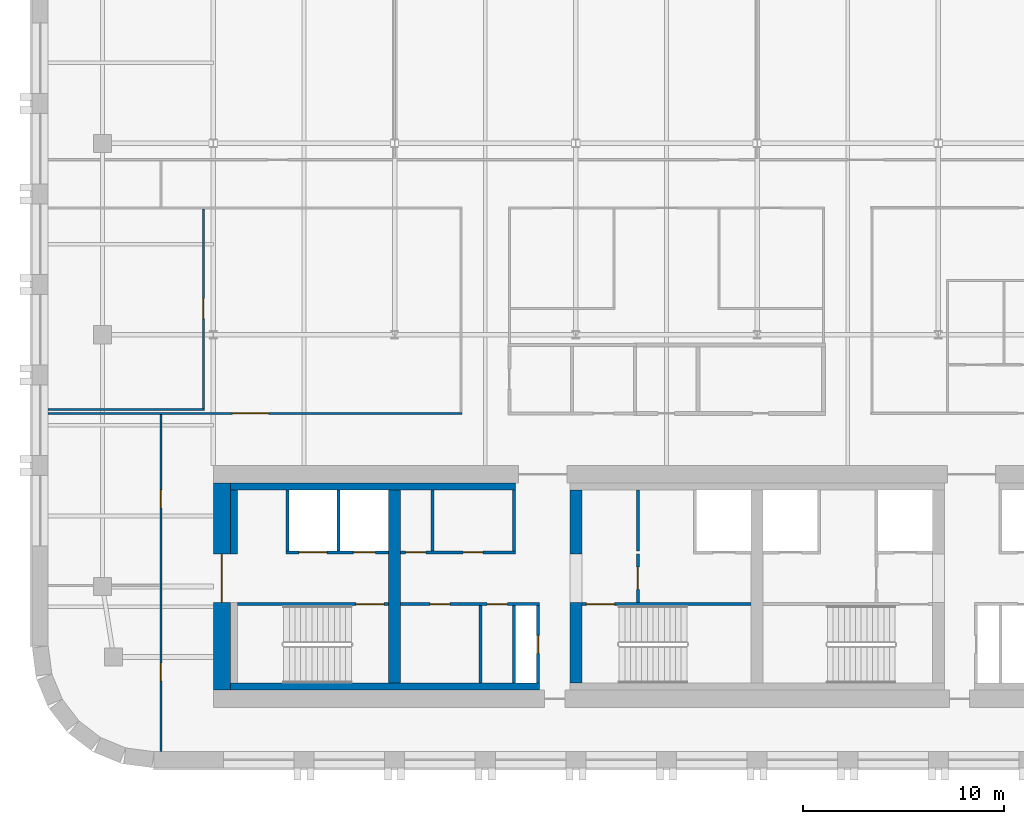
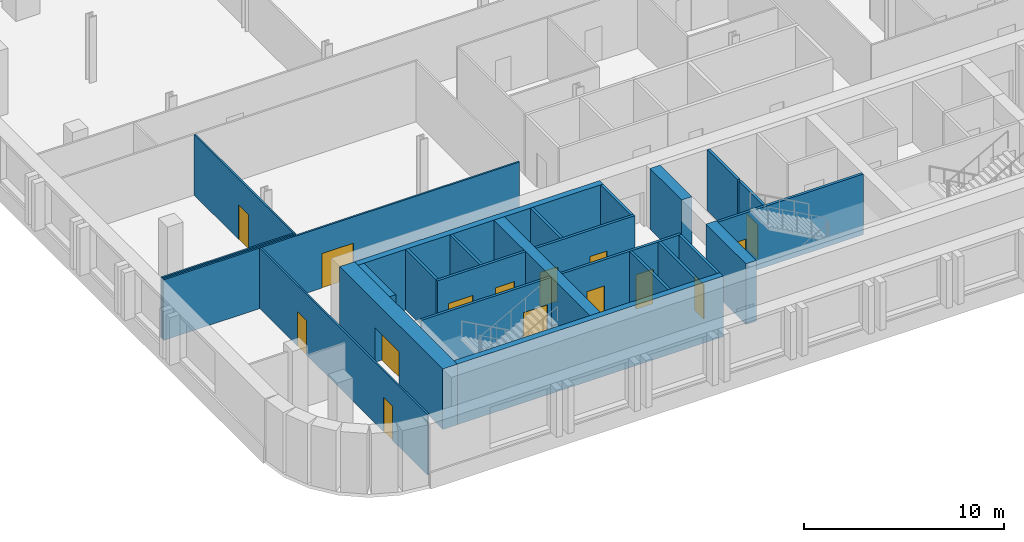
# One storey, part 3 of 11: 25 walls, 15 doors, 15 openings.
"""IFC4 building model written with IfcOpenShell, lengths in metres."""

from ifc_helpers import new_model, si_unit, direction, frame, frame_2d, origin, place, context, subcontext, project, spatial, rectangle, extrude, material, layer, layer_set, type_object, element, fill, save


model = new_model("IFC4")

# Units and contexts
model_context = context("Model", 3, precision=1e-05, world=origin(), true_north=direction((0.0, 1.0)))
body_context = subcontext(model_context, "Body", "Model", "MODEL_VIEW")
ifc_project = project(units=[si_unit("LENGTHUNIT", "METRE"), si_unit("AREAUNIT", "SQUARE_METRE"), si_unit("VOLUMEUNIT", "CUBIC_METRE"), si_unit("PLANEANGLEUNIT", "RADIAN"), si_unit("MASSUNIT", "GRAM", prefix="KILO")], contexts=[model_context])

# Site, building, storey
site_placement = place(None, origin())
site = spatial("IfcSite", under=ifc_project, at=site_placement, CompositionType="ELEMENT")
building_placement = place(site_placement, origin())
building = spatial("IfcBuilding", under=site, at=building_placement, Name="Zellij Exchange Tower", CompositionType="ELEMENT")
storey_placement = place(building_placement, frame((0.0, 0.0, 208.5)))
storey = spatial("IfcBuildingStorey", under=building, at=storey_placement, Name="L48", CompositionType="ELEMENT", Elevation=208.5)

# Walls
ifc_material_1 = material(Name="Concrete C60/75", Category="concrete")
ifc_layer_1 = layer(ifc_material_1, 0.60009765625)
ifc_layer_set_1 = layer_set([ifc_layer_1], Name="Concrete C60/75")
wall_type_1 = type_object("IfcWallType", Name="CORE-CW 600 C60/75", PredefinedType="SHEAR", material=ifc_layer_set_1)
wall_1_placement = place(storey_placement, frame((-18.0, -12.800048828125, 0.0), z_axis=(0.0, 0.0, 1.0), x_axis=(0.0, 1.0, 0.0)))
element("IfcWall", 1, at=wall_1_placement, inside=storey, type_object=wall_type_1, Name="Core cross wall x -18 L48", PredefinedType="SHEAR", context=body_context, shape_type="SweptSolid", body=[
    extrude(rectangle(XDim=9.60009765625, YDim=0.60009765625, at=frame_2d((4.800048828125, 0.0))), origin(), (0.0, 0.0, 1.0), 3.699951171875),
])
wall_2_placement = place(storey_placement, frame((-9.0, -12.800048828125, 0.0), z_axis=(0.0, 0.0, 1.0), x_axis=(0.0, 1.0, 0.0)))
element("IfcWall", 2, at=wall_2_placement, inside=storey, type_object=wall_type_1, Name="Core cross wall pier x -9 a L48", PredefinedType="SHEAR", context=body_context, shape_type="SweptSolid", body=[
    extrude(rectangle(XDim=4.0, YDim=0.60009765625, at=frame_2d((2.0, 0.0))), origin(), (0.0, 0.0, 1.0), 3.699951171875),
])
wall_3_placement = place(storey_placement, frame((-9.0, -6.375, 0.0), z_axis=(0.0, 0.0, 1.0), x_axis=(0.0, 1.0, 0.0)))
element("IfcWall", 3, at=wall_3_placement, inside=storey, type_object=wall_type_1, Name="Core cross wall pier x -9 b L48", PredefinedType="SHEAR", context=body_context, shape_type="SweptSolid", body=[
    extrude(rectangle(XDim=3.175048828125, YDim=0.60009765625, at=frame_2d((1.58740234375, 0.0))), origin(), (0.0, 0.0, 1.0), 3.699951171875),
])
ifc_material_2 = material(Name="Concrete C30/37", Category="concrete")
ifc_layer_2 = layer(ifc_material_2, 0.35009765625)
ifc_layer_set_2 = layer_set([ifc_layer_2], Name="Concrete C30/37")
wall_type_2 = type_object("IfcWallType", Name="CORE-LW 350 C30/37", PredefinedType="SHEAR", material=ifc_layer_set_2)
wall_4_placement = place(storey_placement, frame((-26.14990234375, -3.02490234375, 0.0), z_axis=(0.0, 0.0, 1.0), x_axis=(1.0, 0.0, 0.0)))
element("IfcWall", 4, at=wall_4_placement, inside=storey, type_object=wall_type_2, Name="Core wall lining front.0 L48", PredefinedType="SHEAR", context=body_context, shape_type="SweptSolid", body=[
    extrude(rectangle(XDim=14.14990234375, YDim=0.35009765625, at=frame_2d((7.074951171875, 0.0))), origin(), (0.0, 0.0, 1.0), 3.699951171875),
])
wall_5_placement = place(storey_placement, frame((-26.14990234375, -12.97509765625, 0.0), z_axis=(0.0, 0.0, 1.0), x_axis=(1.0, 0.0, 0.0)))
element("IfcWall", 5, at=wall_5_placement, inside=storey, type_object=wall_type_2, Name="Core wall lining rear.0 L48", PredefinedType="SHEAR", context=body_context, shape_type="SweptSolid", body=[
    extrude(rectangle(XDim=15.349853515625, YDim=0.35009765625, at=frame_2d((7.6748046875, 0.0))), origin(), (0.0, 0.0, 1.0), 3.699951171875),
])
wall_6_placement = place(storey_placement, frame((-25.97509765625, -6.375, 0.0), z_axis=(0.0, 0.0, 1.0), x_axis=(0.0, 1.0, 0.0)))
element("IfcWall", 6, at=wall_6_placement, inside=storey, type_object=wall_type_2, Name="Core wall lining end w.1 L48", PredefinedType="SHEAR", context=body_context, shape_type="SweptSolid", body=[
    extrude(rectangle(XDim=3.175048828125, YDim=0.35009765625, at=frame_2d((1.58740234375, 0.0))), origin(), (0.0, 0.0, 1.0), 3.699951171875),
])

# Wall, opening, door
ifc_material_3 = material(Name="Gypsum shaft wall system")
ifc_layer_3 = layer(ifc_material_3, 0.14990234375)
ifc_layer_set_3 = layer_set([ifc_layer_3], Name="Gypsum shaft wall system")
wall_type_3 = type_object("IfcWallType", Name="CORE-PW 150 Firefighting lobby wall", PredefinedType="PARTITIONING", material=ifc_layer_set_3)
wall_7_placement = place(storey_placement, frame((-5.925048828125, -8.800048828125, 0.0), z_axis=(0.0, 0.0, 1.0), x_axis=(0.0, 1.0, 0.0)))
wall_7 = element("IfcWall", 7, at=wall_7_placement, inside=storey, type_object=wall_type_3, Name="Firefighting lobby wall L48", PredefinedType="PARTITIONING", context=body_context, shape_type="SweptSolid", body=[
    extrude(rectangle(XDim=2.425048828125, YDim=0.14990234375, at=frame_2d((1.21240234375, 0.0))), origin(), (0.0, 0.0, 1.0), 3.699951171875),
])
opening_1_placement = place(wall_7_placement, frame((0.662109375, 0.0, 0.0)))
opening_1 = element("IfcOpeningElement", 8, at=opening_1_placement, cuts=wall_7, Name="Opening CA-25.13", PredefinedType="OPENING", context=body_context, shape_type="SweptSolid", body=[
    extrude(rectangle(XDim=1.10009765625, YDim=2.10009765625, at=frame_2d((0.550048828125, 1.050048828125))), frame((0.0, 0.0869140625, 0.0), z_axis=(0.0, -1.0, 0.0), x_axis=(1.0, 0.0, 0.0)), (0.0, 0.0, 1.0), 0.173828125),
])
ifc_material_4 = material(Name="Hollow metal fire door")
door_type_1 = type_object("IfcDoorType", Name="CORE-D F Firefighting lobby door 1100x2100 1 HR", OperationType="NOTDEFINED", PredefinedType="DOOR", material=ifc_material_4)
door_1_placement = place(opening_1_placement, origin())
door_1 = element("IfcDoor", 9, at=door_1_placement, inside=storey, type_object=door_type_1, Name="Firefighting lobby door CA-25.13", OperationType="SINGLE_SWING_LEFT", OverallHeight=2.10009765625, OverallWidth=1.10009765625, PredefinedType="DOOR", context=body_context, shape_type="SweptSolid", body=[
    extrude(rectangle(XDim=1.10009765625, YDim=2.10009765625, at=frame_2d((0.550048828125, 1.050048828125))), frame((0.0, 0.02490234375, 0.0), z_axis=(0.0, -1.0, 0.0), x_axis=(1.0, 0.0, 0.0)), (0.0, 0.0, 1.0), 0.050048828125),
])
fill(opening_1, door_1)

# Walls
ifc_material_5 = material(Name="Gypsum board partition")
ifc_layer_4 = layer(ifc_material_5, 0.14990234375)
ifc_layer_set_4 = layer_set([ifc_layer_4], Name="Gypsum board partition")
wall_type_4 = type_object("IfcWallType", Name="CORE-PW 150 Lift lobby wall", PredefinedType="PARTITIONING", material=ifc_layer_set_4)
for number, where, z_axis, x_axis, name in (
    (10, (-12.074951171875, -6.22509765625, 0.0), (0.0, 0.0, 1.0), (0.0, 1.0, 0.0), "Lift lobby wall L48"),
    (11, (-16.125, -6.22509765625, 0.0), (0.0, 0.0, 1.0), (0.0, 1.0, 0.0), "Lift lobby wall L48"),
    (12, (-5.925048828125, -6.22509765625, 0.0), (0.0, 0.0, 1.0), (0.0, 1.0, 0.0), "Lift lobby wall L48"),
):
    element("IfcWall", number, at=place(storey_placement, frame(where, z_axis=z_axis, x_axis=x_axis)), inside=storey, type_object=wall_type_4, Name=name, PredefinedType="PARTITIONING", context=body_context, shape_type="SweptSolid", body=[
        extrude(rectangle(XDim=3.025146484375, YDim=0.14990234375, at=frame_2d((1.5126953125, 0.0))), origin(), (0.0, 0.0, 1.0), 3.699951171875),
    ])

# Wall, opening, door
wall_8_placement = place(storey_placement, frame((-10.875, -12.800048828125, 0.0), z_axis=(0.0, 0.0, 1.0), x_axis=(0.0, 1.0, 0.0)))
wall_8 = element("IfcWall", 13, at=wall_8_placement, inside=storey, type_object=wall_type_4, Name="Lift lobby wall L48", PredefinedType="PARTITIONING", context=body_context, shape_type="SweptSolid", body=[
    extrude(rectangle(XDim=3.85009765625, YDim=0.14990234375, at=frame_2d((1.925048828125, 0.0))), origin(), (0.0, 0.0, 1.0), 3.699951171875),
])
opening_2_placement = place(wall_8_placement, frame((1.47509765625, 0.0, 0.0)))
opening_2 = element("IfcOpeningElement", 14, at=opening_2_placement, cuts=wall_8, Name="Opening CA-25.09", PredefinedType="OPENING", context=body_context, shape_type="SweptSolid", body=[
    extrude(rectangle(XDim=0.89990234375, YDim=2.10009765625, at=frame_2d((0.449951171875, 1.050048828125))), frame((0.0, 0.0869140625, 0.0), z_axis=(0.0, -1.0, 0.0), x_axis=(1.0, 0.0, 0.0)), (0.0, 0.0, 1.0), 0.173828125),
])
door_type_2 = type_object("IfcDoorType", Name="CORE-D RD Riser door 900x2100 1.5 HR", OperationType="NOTDEFINED", PredefinedType="DOOR", material=ifc_material_4)
door_2_placement = place(opening_2_placement, origin())
door_2 = element("IfcDoor", 15, at=door_2_placement, inside=storey, type_object=door_type_2, Name="Riser door CA-25.09", OperationType="SINGLE_SWING_RIGHT", OverallHeight=2.10009765625, OverallWidth=0.89990234375, PredefinedType="DOOR", context=body_context, shape_type="SweptSolid", body=[
    extrude(rectangle(XDim=0.89990234375, YDim=2.10009765625, at=frame_2d((0.449951171875, 1.050048828125))), frame((0.0, 0.02490234375, 0.0), z_axis=(0.0, -1.0, 0.0), x_axis=(1.0, 0.0, 0.0)), (0.0, 0.0, 1.0), 0.050048828125),
])
fill(opening_2, door_2)

# Walls
for number, where, z_axis, x_axis, name in (
    (16, (-12.074951171875, -12.800048828125, 0.0), (0.0, 0.0, 1.0), (0.0, 1.0, 0.0), "Lift lobby wall L48"),
    (17, (-13.72509765625, -12.800048828125, 0.0), (0.0, 0.0, 1.0), (0.0, 1.0, 0.0), "Lift lobby wall L48"),
):
    element("IfcWall", number, at=place(storey_placement, frame(where, z_axis=z_axis, x_axis=x_axis)), inside=storey, type_object=wall_type_4, Name=name, PredefinedType="PARTITIONING", context=body_context, shape_type="SweptSolid", body=[
        extrude(rectangle(XDim=3.85009765625, YDim=0.14990234375, at=frame_2d((1.925048828125, 0.0))), origin(), (0.0, 0.0, 1.0), 3.699951171875),
    ])

# Wall, openings, doors
wall_9_placement = place(storey_placement, frame((-17.699951171875, -6.300048828125, 0.0), z_axis=(0.0, 0.0, 1.0), x_axis=(1.0, 0.0, 0.0)))
wall_9 = element("IfcWall", 18, at=wall_9_placement, inside=storey, type_object=wall_type_4, Name="Lift lobby wall L48", PredefinedType="PARTITIONING", context=body_context, shape_type="SweptSolid", body=[
    extrude(rectangle(XDim=5.699951171875, YDim=0.14990234375, at=frame_2d((2.85009765625, 0.0))), origin(), (0.0, 0.0, 1.0), 3.699951171875),
])
opening_3_placement = place(wall_9_placement, frame((0.25, 0.0, 0.0)))
opening_3 = element("IfcOpeningElement", 19, at=opening_3_placement, cuts=wall_9, Name="Opening CA-25.05", PredefinedType="OPENING", context=body_context, shape_type="SweptSolid", body=[
    extrude(rectangle(XDim=1.0, YDim=2.10009765625, at=frame_2d((0.5, 1.050048828125))), frame((0.0, 0.0869140625, 0.0), z_axis=(0.0, -1.0, 0.0), x_axis=(1.0, 0.0, 0.0)), (0.0, 0.0, 1.0), 0.173828125),
])
opening_4_placement = place(wall_9_placement, frame((3.10009765625, 0.0, 0.0)))
opening_4 = element("IfcOpeningElement", 20, at=opening_4_placement, cuts=wall_9, Name="Opening CA-25.07", PredefinedType="OPENING", context=body_context, shape_type="SweptSolid", body=[
    extrude(rectangle(XDim=1.0, YDim=2.10009765625, at=frame_2d((0.5, 1.050048828125))), frame((0.0, 0.0869140625, 0.0), z_axis=(0.0, -1.0, 0.0), x_axis=(1.0, 0.0, 0.0)), (0.0, 0.0, 1.0), 0.173828125),
])
door_type_3 = type_object("IfcDoorType", Name="CORE-D CD Core room door 1000x2100 1 HR", OperationType="NOTDEFINED", PredefinedType="DOOR", material=ifc_material_4)
door_3_placement = place(opening_3_placement, origin())
door_3 = element("IfcDoor", 21, at=door_3_placement, inside=storey, type_object=door_type_3, Name="Core room door CA-25.05", OperationType="SINGLE_SWING_LEFT", OverallHeight=2.10009765625, OverallWidth=1.0, PredefinedType="DOOR", context=body_context, shape_type="SweptSolid", body=[
    extrude(rectangle(XDim=1.0, YDim=2.10009765625, at=frame_2d((0.5, 1.050048828125))), frame((0.0, 0.02490234375, 0.0), z_axis=(0.0, -1.0, 0.0), x_axis=(1.0, 0.0, 0.0)), (0.0, 0.0, 1.0), 0.050048828125),
])
fill(opening_3, door_3)
door_4_placement = place(opening_4_placement, origin())
door_4 = element("IfcDoor", 22, at=door_4_placement, inside=storey, type_object=door_type_3, Name="Core room door CA-25.07", OperationType="SINGLE_SWING_RIGHT", OverallHeight=2.10009765625, OverallWidth=1.0, PredefinedType="DOOR", context=body_context, shape_type="SweptSolid", body=[
    extrude(rectangle(XDim=1.0, YDim=2.10009765625, at=frame_2d((0.5, 1.050048828125))), frame((0.0, 0.02490234375, 0.0), z_axis=(0.0, -1.0, 0.0), x_axis=(1.0, 0.0, 0.0)), (0.0, 0.0, 1.0), 0.050048828125),
])
fill(opening_4, door_4)

wall_10_placement = place(storey_placement, frame((-17.699951171875, -8.875, 0.0), z_axis=(0.0, 0.0, 1.0), x_axis=(1.0, 0.0, 0.0)))
wall_10 = element("IfcWall", 23, at=wall_10_placement, inside=storey, type_object=wall_type_4, Name="Lift lobby wall L48", PredefinedType="PARTITIONING", context=body_context, shape_type="SweptSolid", body=[
    extrude(rectangle(XDim=6.89990234375, YDim=0.14990234375, at=frame_2d((3.449951171875, 0.0))), origin(), (0.0, 0.0, 1.0), 3.699951171875),
])
opening_5_placement = place(wall_10_placement, frame((1.449951171875, 0.0, 0.0)))
opening_5 = element("IfcOpeningElement", 24, at=opening_5_placement, cuts=wall_10, Name="Opening CA-25.06", PredefinedType="OPENING", context=body_context, shape_type="SweptSolid", body=[
    extrude(rectangle(XDim=1.0, YDim=2.10009765625, at=frame_2d((0.5, 1.050048828125))), frame((0.0, 0.0869140625, 0.0), z_axis=(0.0, -1.0, 0.0), x_axis=(1.0, 0.0, 0.0)), (0.0, 0.0, 1.0), 0.173828125),
])
opening_6_placement = place(wall_10_placement, frame((4.300048828125, 0.0, 0.0)))
opening_6 = element("IfcOpeningElement", 25, at=opening_6_placement, cuts=wall_10, Name="Opening CA-25.08", PredefinedType="OPENING", context=body_context, shape_type="SweptSolid", body=[
    extrude(rectangle(XDim=1.0, YDim=2.10009765625, at=frame_2d((0.5, 1.050048828125))), frame((0.0, 0.0869140625, 0.0), z_axis=(0.0, -1.0, 0.0), x_axis=(1.0, 0.0, 0.0)), (0.0, 0.0, 1.0), 0.173828125),
])
door_5_placement = place(opening_5_placement, origin())
door_5 = element("IfcDoor", 26, at=door_5_placement, inside=storey, type_object=door_type_3, Name="Core room door CA-25.06", OperationType="SINGLE_SWING_RIGHT", OverallHeight=2.10009765625, OverallWidth=1.0, PredefinedType="DOOR", context=body_context, shape_type="SweptSolid", body=[
    extrude(rectangle(XDim=1.0, YDim=2.10009765625, at=frame_2d((0.5, 1.050048828125))), frame((0.0, 0.02490234375, 0.0), z_axis=(0.0, -1.0, 0.0), x_axis=(1.0, 0.0, 0.0)), (0.0, 0.0, 1.0), 0.050048828125),
])
fill(opening_5, door_5)
door_6_placement = place(opening_6_placement, origin())
door_6 = element("IfcDoor", 27, at=door_6_placement, inside=storey, type_object=door_type_3, Name="Core room door CA-25.08", OperationType="SINGLE_SWING_LEFT", OverallHeight=2.10009765625, OverallWidth=1.0, PredefinedType="DOOR", context=body_context, shape_type="SweptSolid", body=[
    extrude(rectangle(XDim=1.0, YDim=2.10009765625, at=frame_2d((0.5, 1.050048828125))), frame((0.0, 0.02490234375, 0.0), z_axis=(0.0, -1.0, 0.0), x_axis=(1.0, 0.0, 0.0)), (0.0, 0.0, 1.0), 0.050048828125),
])
fill(opening_6, door_6)

# Walls
ifc_layer_5 = layer(ifc_material_3, 0.14990234375)
ifc_layer_set_5 = layer_set([ifc_layer_5], Name="Gypsum shaft wall system")
wall_type_5 = type_object("IfcWallType", Name="CORE-PW 150 Lift shaft wall", PredefinedType="PARTITIONING", material=ifc_layer_set_5)
for number, where, z_axis, x_axis, name in (
    (28, (-20.77490234375, -6.22509765625, 0.0), (0.0, 0.0, 1.0), (0.0, 1.0, 0.0), "Lift shaft wall L48"),
    (29, (-23.324951171875, -6.22509765625, 0.0), (0.0, 0.0, 1.0), (0.0, 1.0, 0.0), "Lift shaft wall L48"),
):
    element("IfcWall", number, at=place(storey_placement, frame(where, z_axis=z_axis, x_axis=x_axis)), inside=storey, type_object=wall_type_5, Name=name, PredefinedType="PARTITIONING", context=body_context, shape_type="SweptSolid", body=[
        extrude(rectangle(XDim=3.025146484375, YDim=0.14990234375, at=frame_2d((1.5126953125, 0.0))), origin(), (0.0, 0.0, 1.0), 3.699951171875),
    ])

# Wall, openings, doors
wall_11_placement = place(storey_placement, frame((-23.39990234375, -6.300048828125, 0.0), z_axis=(0.0, 0.0, 1.0), x_axis=(1.0, 0.0, 0.0)))
wall_11 = element("IfcWall", 30, at=wall_11_placement, inside=storey, type_object=wall_type_5, Name="Lift shaft wall L48", PredefinedType="PARTITIONING", context=body_context, shape_type="SweptSolid", body=[
    extrude(rectangle(XDim=5.099853515625, YDim=0.14990234375, at=frame_2d((2.5498046875, 0.0))), origin(), (0.0, 0.0, 1.0), 3.699951171875),
])
opening_7_placement = place(wall_11_placement, frame((0.64990234375, 0.0, 0.0)))
opening_7 = element("IfcOpeningElement", 31, at=opening_7_placement, cuts=wall_11, Name="Opening CA-25.02", PredefinedType="OPENING", context=body_context, shape_type="SweptSolid", body=[
    extrude(rectangle(XDim=1.39990234375, YDim=2.10009765625, at=frame_2d((0.699951171875, 1.050048828125))), frame((0.0, 0.0869140625, 0.0), z_axis=(0.0, -1.0, 0.0), x_axis=(1.0, 0.0, 0.0)), (0.0, 0.0, 1.0), 0.173828125),
])
opening_8_placement = place(wall_11_placement, frame((3.35009765625, 0.0, 0.0)))
opening_8 = element("IfcOpeningElement", 32, at=opening_8_placement, cuts=wall_11, Name="Opening CA-25.03", PredefinedType="OPENING", context=body_context, shape_type="SweptSolid", body=[
    extrude(rectangle(XDim=1.10009765625, YDim=2.10009765625, at=frame_2d((0.550048828125, 1.050048828125))), frame((0.0, 0.0869140625, 0.0), z_axis=(0.0, -1.0, 0.0), x_axis=(1.0, 0.0, 0.0)), (0.0, 0.0, 1.0), 0.173828125),
])
door_type_4 = type_object("IfcDoorType", Name="CORE-D LD Lift landing door 1100x2100 1.5 HR", OperationType="NOTDEFINED", PredefinedType="DOOR", material=ifc_material_4)
door_7_placement = place(opening_8_placement, origin())
door_7 = element("IfcDoor", 33, at=door_7_placement, inside=storey, type_object=door_type_4, Name="Lift landing door CA-25.03", OperationType="SLIDING_TO_LEFT", OverallHeight=2.10009765625, OverallWidth=1.10009765625, PredefinedType="DOOR", context=body_context, shape_type="SweptSolid", body=[
    extrude(rectangle(XDim=1.10009765625, YDim=2.10009765625, at=frame_2d((0.550048828125, 1.050048828125))), frame((0.0, 0.02490234375, 0.0), z_axis=(0.0, -1.0, 0.0), x_axis=(1.0, 0.0, 0.0)), (0.0, 0.0, 1.0), 0.050048828125),
])
fill(opening_8, door_7)
door_type_5 = type_object("IfcDoorType", Name="CORE-D LD2 Service lift landing door 1400x2100 1.5 HR", OperationType="NOTDEFINED", PredefinedType="DOOR", material=ifc_material_4)
door_8_placement = place(opening_7_placement, origin())
door_8 = element("IfcDoor", 34, at=door_8_placement, inside=storey, type_object=door_type_5, Name="Service lift landing door CA-25.02", OperationType="SLIDING_TO_RIGHT", OverallHeight=2.10009765625, OverallWidth=1.39990234375, PredefinedType="DOOR", context=body_context, shape_type="SweptSolid", body=[
    extrude(rectangle(XDim=1.39990234375, YDim=2.10009765625, at=frame_2d((0.699951171875, 1.050048828125))), frame((0.0, 0.02490234375, 0.0), z_axis=(0.0, -1.0, 0.0), x_axis=(1.0, 0.0, 0.0)), (0.0, 0.0, 1.0), 0.050048828125),
])
fill(opening_7, door_8)

# Wall, opening, door
ifc_layer_6 = layer(ifc_material_1, 0.85009765625)
ifc_layer_set_6 = layer_set([ifc_layer_6], Name="Concrete C60/75")
wall_type_6 = type_object("IfcWallType", Name="CORE-SW 850 C60/75", PredefinedType="SHEAR", material=ifc_layer_set_6)
wall_12_placement = place(storey_placement, frame((-26.574951171875, -13.14990234375, 0.0), z_axis=(0.0, 0.0, 1.0), x_axis=(0.0, 1.0, 0.0)))
wall_12 = element("IfcWall", 35, at=wall_12_placement, inside=storey, type_object=wall_type_6, Name="Core shear wall end w L48", PredefinedType="SHEAR", context=body_context, shape_type="SweptSolid", body=[
    extrude(rectangle(XDim=10.2998046875, YDim=0.85009765625, at=frame_2d((5.14990234375, 0.0))), origin(), (0.0, 0.0, 1.0), 3.699951171875),
])
opening_9_placement = place(wall_12_placement, frame((4.362060546875, 0.0, 0.0)))
opening_9 = element("IfcOpeningElement", 36, at=opening_9_placement, cuts=wall_12, Name="Opening CA-25.01", PredefinedType="OPENING", context=body_context, shape_type="SweptSolid", body=[
    extrude(rectangle(XDim=2.39990234375, YDim=2.10009765625, at=frame_2d((1.199951171875, 1.050048828125))), frame((0.0, 0.43701171875, 0.0), z_axis=(0.0, -1.0, 0.0), x_axis=(1.0, 0.0, 0.0)), (0.0, 0.0, 1.0), 0.8740234375),
])
door_type_6 = type_object("IfcDoorType", Name="CORE-D CE Core entrance door 2400x2100 20 MIN", OperationType="NOTDEFINED", PredefinedType="DOOR", material=ifc_material_4)
door_9_placement = place(opening_9_placement, origin())
door_9 = element("IfcDoor", 37, at=door_9_placement, inside=storey, type_object=door_type_6, Name="Core entrance door CA-25.01", OperationType="DOUBLE_DOOR_SINGLE_SWING", OverallHeight=2.10009765625, OverallWidth=2.39990234375, PredefinedType="DOOR", context=body_context, shape_type="SweptSolid", body=[
    extrude(rectangle(XDim=2.39990234375, YDim=2.10009765625, at=frame_2d((1.199951171875, 1.050048828125))), frame((0.0, 0.02490234375, 0.0), z_axis=(0.0, -1.0, 0.0), x_axis=(1.0, 0.0, 0.0)), (0.0, 0.0, 1.0), 0.050048828125),
])
fill(opening_9, door_9)

ifc_layer_7 = layer(ifc_material_1, 0.14990234375)
ifc_layer_set_7 = layer_set([ifc_layer_7], Name="Concrete C60/75")
wall_type_7 = type_object("IfcWallType", Name="CORE-SWS 150 C60/75", PredefinedType="SHEAR", material=ifc_layer_set_7)
wall_13_placement = place(storey_placement, frame((-25.800048828125, -8.875, 0.0), z_axis=(0.0, 0.0, 1.0), x_axis=(1.0, 0.0, 0.0)))
wall_13 = element("IfcWall", 38, at=wall_13_placement, inside=storey, type_object=wall_type_7, Name="Stair enclosure wall L48", PredefinedType="SHEAR", context=body_context, shape_type="SweptSolid", body=[
    extrude(rectangle(XDim=7.5, YDim=0.14990234375, at=frame_2d((3.75, 0.0))), origin(), (0.0, 0.0, 1.0), 3.699951171875),
])
opening_10_placement = place(wall_13_placement, frame((5.875, 0.0, 0.0)))
opening_10 = element("IfcOpeningElement", 39, at=opening_10_placement, cuts=wall_13, Name="Opening CA-25.04", PredefinedType="OPENING", context=body_context, shape_type="SweptSolid", body=[
    extrude(rectangle(XDim=1.39990234375, YDim=2.10009765625, at=frame_2d((0.699951171875, 1.050048828125))), frame((0.0, 0.0869140625, 0.0), z_axis=(0.0, -1.0, 0.0), x_axis=(1.0, 0.0, 0.0)), (0.0, 0.0, 1.0), 0.173828125),
])
door_type_7 = type_object("IfcDoorType", Name="CORE-D SD Stair door 1400x2100 1.5 HR", OperationType="NOTDEFINED", PredefinedType="DOOR", material=ifc_material_4)
door_10_placement = place(opening_10_placement, origin())
door_10 = element("IfcDoor", 40, at=door_10_placement, inside=storey, type_object=door_type_7, Name="Stair door CA-25.04", OperationType="DOUBLE_DOOR_SINGLE_SWING", OverallHeight=2.10009765625, OverallWidth=1.39990234375, PredefinedType="DOOR", context=body_context, shape_type="SweptSolid", body=[
    extrude(rectangle(XDim=1.39990234375, YDim=2.10009765625, at=frame_2d((0.699951171875, 1.050048828125))), frame((0.0, 0.02490234375, 0.0), z_axis=(0.0, -1.0, 0.0), x_axis=(1.0, 0.0, 0.0)), (0.0, 0.0, 1.0), 0.050048828125),
])
fill(opening_10, door_10)

wall_14_placement = place(storey_placement, frame((-8.699951171875, -8.875, 0.0), z_axis=(0.0, 0.0, 1.0), x_axis=(1.0, 0.0, 0.0)))
wall_14 = element("IfcWall", 41, at=wall_14_placement, inside=storey, type_object=wall_type_7, Name="Stair enclosure wall L48", PredefinedType="SHEAR", context=body_context, shape_type="SweptSolid", body=[
    extrude(rectangle(XDim=8.39990234375, YDim=0.14990234375, at=frame_2d((4.199951171875, 0.0))), origin(), (0.0, 0.0, 1.0), 3.699951171875),
])
opening_11_placement = place(wall_14_placement, frame((0.22509765625, 0.0, 0.0)))
opening_11 = element("IfcOpeningElement", 42, at=opening_11_placement, cuts=wall_14, Name="Opening CA-25.12", PredefinedType="OPENING", context=body_context, shape_type="SweptSolid", body=[
    extrude(rectangle(XDim=1.39990234375, YDim=2.10009765625, at=frame_2d((0.699951171875, 1.050048828125))), frame((0.0, 0.0869140625, 0.0), z_axis=(0.0, -1.0, 0.0), x_axis=(1.0, 0.0, 0.0)), (0.0, 0.0, 1.0), 0.173828125),
])
door_11_placement = place(opening_11_placement, origin())
door_11 = element("IfcDoor", 43, at=door_11_placement, inside=storey, type_object=door_type_7, Name="Stair door CA-25.12", OperationType="DOUBLE_DOOR_SINGLE_SWING", OverallHeight=2.10009765625, OverallWidth=1.39990234375, PredefinedType="DOOR", context=body_context, shape_type="SweptSolid", body=[
    extrude(rectangle(XDim=1.39990234375, YDim=2.10009765625, at=frame_2d((0.699951171875, 1.050048828125))), frame((0.0, 0.02490234375, 0.0), z_axis=(0.0, -1.0, 0.0), x_axis=(1.0, 0.0, 0.0)), (0.0, 0.0, 1.0), 0.050048828125),
])
fill(opening_11, door_11)

# Wall, openings, doors
ifc_material_6 = material(Name="Gypsum board partition on steel studs", Category="steel")
ifc_layer_8 = layer(ifc_material_6, 0.10009765625)
ifc_layer_set_8 = layer_set([ifc_layer_8], Name="Gypsum board partition on steel studs")
wall_type_8 = type_object("IfcWallType", Name="FIT-PARTITION-100", PredefinedType="PARTITIONING", material=ifc_layer_set_8)
wall_15_placement = place(storey_placement, frame((-29.60009765625, -16.199951171875, 0.0), z_axis=(0.0, 0.0, 1.0), x_axis=(0.0, 1.0, 0.0)))
wall_15 = element("IfcWall", 44, at=wall_15_placement, inside=storey, type_object=wall_type_8, Name="FIT-PARTITION-100 001", PredefinedType="PARTITIONING", context=body_context, shape_type="SweptSolid", body=[
    extrude(rectangle(XDim=16.75, YDim=0.10009765625, at=frame_2d((8.375, 0.0))), origin(), (0.0, 0.0, 1.0), 3.699951171875),
])
opening_12_placement = place(wall_15_placement, frame((3.5, 0.0, 0.0)))
opening_12 = element("IfcOpeningElement", 45, at=opening_12_placement, cuts=wall_15, Name="Opening O3E.01", PredefinedType="OPENING", context=body_context, shape_type="SweptSolid", body=[
    extrude(rectangle(XDim=0.89990234375, YDim=2.10009765625, at=frame_2d((0.449951171875, 1.050048828125))), frame((0.0, 0.06201171875, 0.0), z_axis=(0.0, -1.0, 0.0), x_axis=(1.0, 0.0, 0.0)), (0.0, 0.0, 1.0), 0.1240234375),
])
opening_13_placement = place(wall_15_placement, frame((12.10009765625, 0.0, 0.0)))
opening_13 = element("IfcOpeningElement", 46, at=opening_13_placement, cuts=wall_15, Name="Opening O3E.03", PredefinedType="OPENING", context=body_context, shape_type="SweptSolid", body=[
    extrude(rectangle(XDim=0.89990234375, YDim=2.10009765625, at=frame_2d((0.449951171875, 1.050048828125))), frame((0.0, 0.06201171875, 0.0), z_axis=(0.0, -1.0, 0.0), x_axis=(1.0, 0.0, 0.0)), (0.0, 0.0, 1.0), 0.1240234375),
])
ifc_material_7 = material(Name="Timber door set", Category="wood")
door_type_8 = type_object("IfcDoorType", Name="FIT-D1-ROOM-900X2100", OperationType="SINGLE_SWING_LEFT", PredefinedType="DOOR", material=ifc_material_7)
door_12_placement = place(opening_12_placement, origin())
door_12 = element("IfcDoor", 47, at=door_12_placement, inside=storey, type_object=door_type_8, Name="Door O3E.01", OperationType="SINGLE_SWING_RIGHT", OverallHeight=2.10009765625, OverallWidth=0.89990234375, PredefinedType="DOOR", context=body_context, shape_type="SweptSolid", body=[
    extrude(rectangle(XDim=0.89990234375, YDim=2.10009765625, at=frame_2d((0.449951171875, 1.050048828125))), frame((0.0, 0.02490234375, 0.0), z_axis=(0.0, -1.0, 0.0), x_axis=(1.0, 0.0, 0.0)), (0.0, 0.0, 1.0), 0.050048828125),
])
fill(opening_12, door_12)
door_13_placement = place(opening_13_placement, origin())
door_13 = element("IfcDoor", 48, at=door_13_placement, inside=storey, type_object=door_type_8, Name="Door O3E.03", OperationType="SINGLE_SWING_LEFT", OverallHeight=2.10009765625, OverallWidth=0.89990234375, PredefinedType="DOOR", context=body_context, shape_type="SweptSolid", body=[
    extrude(rectangle(XDim=0.89990234375, YDim=2.10009765625, at=frame_2d((0.449951171875, 1.050048828125))), frame((0.0, 0.02490234375, 0.0), z_axis=(0.0, -1.0, 0.0), x_axis=(1.0, 0.0, 0.0)), (0.0, 0.0, 1.0), 0.050048828125),
])
fill(opening_13, door_13)

# Wall, opening, door
wall_16_placement = place(storey_placement, frame((-35.199951171875, 0.60009765625, 0.0), z_axis=(0.0, 0.0, 1.0), x_axis=(1.0, 0.0, 0.0)))
wall_16 = element("IfcWall", 49, at=wall_16_placement, inside=storey, type_object=wall_type_8, Name="FIT-PARTITION-100 005", PredefinedType="PARTITIONING", context=body_context, shape_type="SweptSolid", body=[
    extrude(rectangle(XDim=20.550048828125, YDim=0.10009765625, at=frame_2d((10.27490234375, 0.0))), origin(), (0.0, 0.0, 1.0), 3.699951171875),
])
opening_14_placement = place(wall_16_placement, frame((9.14990234375, 0.0, 0.0)))
opening_14 = element("IfcOpeningElement", 50, at=opening_14_placement, cuts=wall_16, Name="Opening O3E.04", PredefinedType="OPENING", context=body_context, shape_type="SweptSolid", body=[
    extrude(rectangle(XDim=1.800048828125, YDim=2.10009765625, at=frame_2d((0.89990234375, 1.050048828125))), frame((0.0, 0.06201171875, 0.0), z_axis=(0.0, -1.0, 0.0), x_axis=(1.0, 0.0, 0.0)), (0.0, 0.0, 1.0), 0.1240234375),
])
door_type_9 = type_object("IfcDoorType", Name="FIT-D3-DOUBLE-1800X2100", OperationType="DOUBLE_DOOR_SINGLE_SWING", PredefinedType="DOOR", material=ifc_material_7)
door_14_placement = place(opening_14_placement, origin())
door_14 = element("IfcDoor", 51, at=door_14_placement, inside=storey, type_object=door_type_9, Name="Door O3E.04", OperationType="DOUBLE_DOOR_SINGLE_SWING", OverallHeight=2.10009765625, OverallWidth=1.800048828125, PredefinedType="DOOR", context=body_context, shape_type="SweptSolid", body=[
    extrude(rectangle(XDim=1.800048828125, YDim=2.10009765625, at=frame_2d((0.89990234375, 1.050048828125))), frame((0.0, 0.02490234375, 0.0), z_axis=(0.0, -1.0, 0.0), x_axis=(1.0, 0.0, 0.0)), (0.0, 0.0, 1.0), 0.050048828125),
])
fill(opening_14, door_14)

# Wall
wall_17_placement = place(storey_placement, frame((-35.199951171875, 0.800048828125, 0.0), z_axis=(0.0, 0.0, 1.0), x_axis=(1.0, 0.0, 0.0)))
element("IfcWall", 52, at=wall_17_placement, inside=storey, type_object=wall_type_8, Name="FIT-PARTITION-100 021", PredefinedType="PARTITIONING", context=body_context, shape_type="SweptSolid", body=[
    extrude(rectangle(XDim=7.75, YDim=0.10009765625, at=frame_2d((3.875, 0.0))), origin(), (0.0, 0.0, 1.0), 3.699951171875),
])

# Wall, opening, door
wall_18_placement = place(storey_placement, frame((-27.5, 0.85009765625, 0.0), z_axis=(0.0, 0.0, 1.0), x_axis=(0.0, 1.0, 0.0)))
wall_18 = element("IfcWall", 53, at=wall_18_placement, inside=storey, type_object=wall_type_8, Name="FIT-PARTITION-100 022", PredefinedType="PARTITIONING", context=body_context, shape_type="SweptSolid", body=[
    extrude(rectangle(XDim=9.89990234375, YDim=0.10009765625, at=frame_2d((4.949951171875, 0.0))), origin(), (0.0, 0.0, 1.0), 3.699951171875),
])
opening_15_placement = place(wall_18_placement, frame((4.449951171875, 0.0, 0.0)))
opening_15 = element("IfcOpeningElement", 54, at=opening_15_placement, cuts=wall_18, Name="Opening O3E.14", PredefinedType="OPENING", context=body_context, shape_type="SweptSolid", body=[
    extrude(rectangle(XDim=1.0, YDim=2.10009765625, at=frame_2d((0.5, 1.050048828125))), frame((0.0, 0.06201171875, 0.0), z_axis=(0.0, -1.0, 0.0), x_axis=(1.0, 0.0, 0.0)), (0.0, 0.0, 1.0), 0.1240234375),
])
door_type_10 = type_object("IfcDoorType", Name="FIT-D2-WIDE-1000X2100", OperationType="SINGLE_SWING_LEFT", PredefinedType="DOOR", material=ifc_material_7)
door_15_placement = place(opening_15_placement, origin())
door_15 = element("IfcDoor", 55, at=door_15_placement, inside=storey, type_object=door_type_10, Name="Door O3E.14", OperationType="SINGLE_SWING_RIGHT", OverallHeight=2.10009765625, OverallWidth=1.0, PredefinedType="DOOR", context=body_context, shape_type="SweptSolid", body=[
    extrude(rectangle(XDim=1.0, YDim=2.10009765625, at=frame_2d((0.5, 1.050048828125))), frame((0.0, 0.02490234375, 0.0), z_axis=(0.0, -1.0, 0.0), x_axis=(1.0, 0.0, 0.0)), (0.0, 0.0, 1.0), 0.050048828125),
])
fill(opening_15, door_15)

save(model, "model.ifc")
